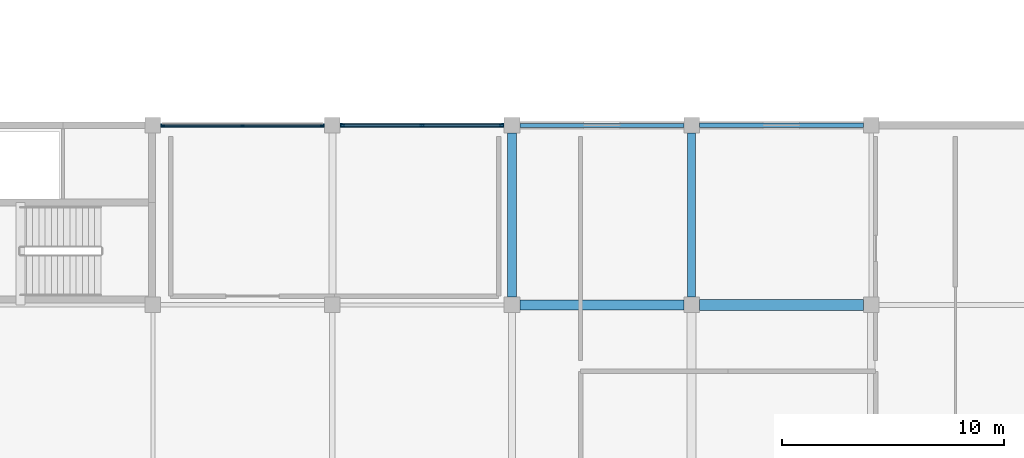
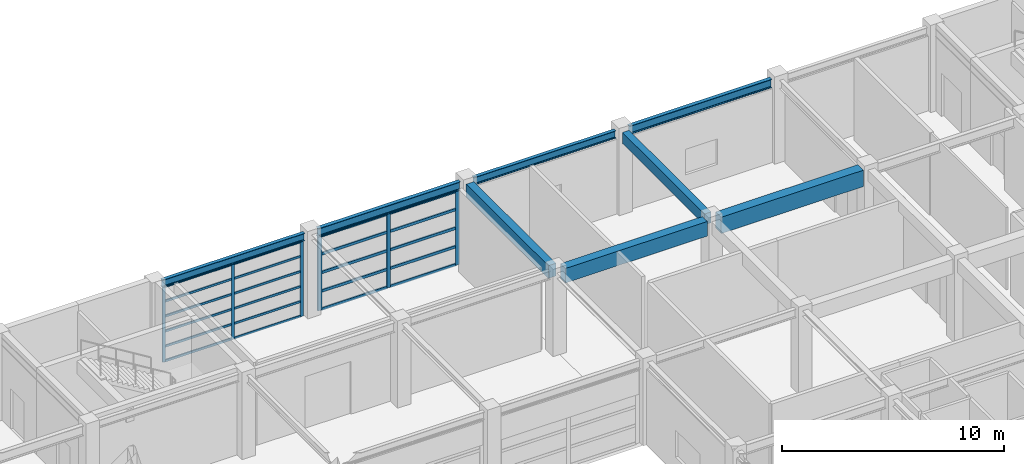
# One storey, part 28 of 56: 28 members, 8 beams, 2 elements without a shape of their own.
"""IFC4 building model written with IfcOpenShell, lengths in metres."""

from ifc_helpers import new_model, si_unit, direction, frame, origin, origin_2d, place, context, subcontext, project, spatial, rectangle, i_section, extrude, material, material_profile, profile_set, type_object, element, aggregate, save


model = new_model("IFC4")

# Units and contexts
model_context = context("Model", 3, precision=1e-05, world=origin(), true_north=direction((0.0, 1.0)))
body_context = subcontext(model_context, "Body", "Model", "MODEL_VIEW")
ifc_project = project(units=[si_unit("LENGTHUNIT", "METRE"), si_unit("AREAUNIT", "SQUARE_METRE"), si_unit("VOLUMEUNIT", "CUBIC_METRE"), si_unit("PLANEANGLEUNIT", "RADIAN"), si_unit("MASSUNIT", "GRAM", prefix="KILO")], contexts=[model_context])

# Site, building, storey
site_placement = place(None, origin())
site = spatial("IfcSite", under=ifc_project, at=site_placement, CompositionType="ELEMENT")
building_placement = place(site_placement, origin())
building = spatial("IfcBuilding", under=site, at=building_placement, Name="Parian Resonance Hall", CompositionType="ELEMENT")
storey_placement = place(building_placement, frame((0.0, 0.0, 5.39990234375)))
storey = spatial("IfcBuildingStorey", under=building, at=storey_placement, Name="L01", CompositionType="ELEMENT", Elevation=5.39990234375)

# Beams
ifc_material_1 = material(Name="Concrete C40/50", Category="concrete")
ifc_material_profile_1 = material_profile(ifc_material_1, rectangle(XDim=0.35009765625, YDim=0.60009765625, at=origin_2d()), Name="RC-BM-350x600")
ifc_profile_set_1 = profile_set([ifc_material_profile_1], Name="Concrete C40/50")
beam_type_1 = type_object("IfcBeamType", Name="BM-RC350x600", PredefinedType="BEAM", material=ifc_profile_set_1)
beam_1_placement = place(storey_placement, frame((121.5, 81.35009765625, 4.22998046875), z_axis=(0.0, 1.0, 0.0), x_axis=(-1.0, 0.0, 0.0)))
element("IfcBeam", 1, at=beam_1_placement, inside=storey, type_object=beam_type_1, Name="GY-L01-0642", PredefinedType="BEAM", context=body_context, shape_type="SweptSolid", body=[
    extrude(rectangle(XDim=0.35009765625, YDim=0.60009765625, at=origin_2d()), origin(), (0.0, 0.0, 1.0), 7.39990234375),
])
ifc_material_2 = material(Name="Concrete C40/50", Category="concrete")
ifc_material_profile_2 = material_profile(ifc_material_2, rectangle(XDim=0.39990234375, YDim=0.699951171875, at=origin_2d()), Name="RC-BM-400x700")
ifc_profile_set_2 = profile_set([ifc_material_profile_2], Name="Concrete C40/50")
beam_type_2 = type_object("IfcBeamType", Name="BM-RC400x700", PredefinedType="BEAM", material=ifc_profile_set_2)
beam_2_placement = place(storey_placement, frame((113.39990234375, 81.35009765625, 4.18017578125), z_axis=(0.0, 1.0, 0.0), x_axis=(-1.0, 0.0, 0.0)))
element("IfcBeam", 2, at=beam_2_placement, inside=storey, type_object=beam_type_2, Name="GY-L01-0633", PredefinedType="BEAM", context=body_context, shape_type="SweptSolid", body=[
    extrude(rectangle(XDim=0.39990234375, YDim=0.699951171875, at=origin_2d()), origin(), (0.0, 0.0, 1.0), 7.39990234375),
])
ifc_material_3 = material(Name="Concrete C40/50", Category="concrete")
ifc_material_profile_3 = material_profile(ifc_material_3, rectangle(XDim=0.449951171875, YDim=0.800048828125, at=origin_2d()), Name="RC-BM-450x800")
ifc_profile_set_3 = profile_set([ifc_material_profile_3], Name="Concrete C40/50")
beam_type_3 = type_object("IfcBeamType", Name="BM-RC450x800", PredefinedType="USERDEFINED", material=ifc_profile_set_3)
beam_3_placement = place(storey_placement, frame((113.75, 81.0, 4.130126953125), z_axis=(1.0, 0.0, 0.0), x_axis=(0.0, 1.0, 0.0)))
element("IfcBeam", 3, at=beam_3_placement, inside=storey, type_object=beam_type_3, Name="GX-L01-0573", ObjectType="GIRDER", PredefinedType="USERDEFINED", context=body_context, shape_type="SweptSolid", body=[
    extrude(rectangle(XDim=0.449951171875, YDim=0.800048828125, at=origin_2d()), origin(), (0.0, 0.0, 1.0), 7.39990234375),
])
ifc_material_4 = material(Name="Concrete C40/50", Category="concrete")
ifc_material_profile_4 = material_profile(ifc_material_4, rectangle(XDim=0.5, YDim=0.89990234375, at=origin_2d()), Name="RC-BM-500x900")
ifc_profile_set_4 = profile_set([ifc_material_profile_4], Name="Concrete C40/50")
beam_type_4 = type_object("IfcBeamType", Name="BM-RC500x900", PredefinedType="USERDEFINED", material=ifc_profile_set_4)
beam_4_placement = place(storey_placement, frame((121.85009765625, 81.0, 4.080078125), z_axis=(1.0, 0.0, 0.0), x_axis=(0.0, 1.0, 0.0)))
element("IfcBeam", 4, at=beam_4_placement, inside=storey, type_object=beam_type_4, Name="GX-L01-0579", ObjectType="GIRDER", PredefinedType="USERDEFINED", context=body_context, shape_type="SweptSolid", body=[
    extrude(rectangle(XDim=0.5, YDim=0.89990234375, at=origin_2d()), origin(), (0.0, 0.0, 1.0), 7.39990234375),
])
ifc_material_5 = material(Name="Steel S355", Category="steel")
ifc_material_profile_5 = material_profile(ifc_material_5, i_section(OverallWidth=0.180908203125, OverallDepth=0.4169921875, WebThickness=0.010986328125, FlangeThickness=0.018310546875, FilletRadius=0.01513671875, at=origin_2d()), Name="W410x85")
ifc_profile_set_5 = profile_set([ifc_material_profile_5], Name="Steel S355")
beam_type_5 = type_object("IfcBeamType", Name="BM-W410x85", PredefinedType="SPANDREL", material=ifc_profile_set_5)
for number, where, z_axis, x_axis, name in (
    (5, (97.550048828125, 89.10009765625, 4.3515625), (1.0, 0.0, 0.0), (0.0, 1.0, 0.0), "GX-L01-0557"),
    (6, (113.75, 89.10009765625, 4.321533203125), (1.0, 0.0, 0.0), (0.0, 1.0, 0.0), "GX-L01-0574"),
):
    element("IfcBeam", number, at=place(storey_placement, frame(where, z_axis=z_axis, x_axis=x_axis)), inside=storey, type_object=beam_type_5, Name=name, PredefinedType="SPANDREL", context=body_context, shape_type="SweptSolid", body=[
        extrude(i_section(OverallWidth=0.180908203125, OverallDepth=0.4169921875, WebThickness=0.010986328125, FlangeThickness=0.018310546875, FilletRadius=0.01513671875, at=origin_2d()), origin(), (0.0, 0.0, 1.0), 7.39990234375),
    ])
ifc_material_6 = material(Name="Steel S355", Category="steel")
ifc_material_profile_6 = material_profile(ifc_material_6, i_section(OverallWidth=0.194091796875, OverallDepth=0.468994140625, WebThickness=0.0126953125, FlangeThickness=0.0205078125, FilletRadius=0.01513671875, at=origin_2d()), Name="W460x106")
ifc_profile_set_6 = profile_set([ifc_material_profile_6], Name="Steel S355")
beam_type_6 = type_object("IfcBeamType", Name="BM-W460x106", PredefinedType="SPANDREL", material=ifc_profile_set_6)
beam_5_placement = place(storey_placement, frame((105.64990234375, 89.10009765625, 4.32568359375), z_axis=(1.0, 0.0, 0.0), x_axis=(0.0, 1.0, 0.0)))
element("IfcBeam", 7, at=beam_5_placement, inside=storey, type_object=beam_type_6, Name="GX-L01-0564", PredefinedType="SPANDREL", context=body_context, shape_type="SweptSolid", body=[
    extrude(i_section(OverallWidth=0.194091796875, OverallDepth=0.468994140625, WebThickness=0.0126953125, FlangeThickness=0.0205078125, FilletRadius=0.01513671875, at=origin_2d()), origin(), (0.0, 0.0, 1.0), 7.400146484375),
])
beam_6_placement = place(storey_placement, frame((121.85009765625, 89.10009765625, 4.295654296875), z_axis=(1.0, 0.0, 0.0), x_axis=(0.0, 1.0, 0.0)))
element("IfcBeam", 8, at=beam_6_placement, inside=storey, type_object=beam_type_6, Name="GX-L01-0580", PredefinedType="SPANDREL", context=body_context, shape_type="SweptSolid", body=[
    extrude(i_section(OverallWidth=0.194091796875, OverallDepth=0.468994140625, WebThickness=0.0126953125, FlangeThickness=0.0205078125, FilletRadius=0.01513671875, at=origin_2d()), origin(), (0.0, 0.0, 1.0), 7.39990234375),
])

# Curtain wall, members
ifc_material_7 = material(Name="Bronze-anodised aluminium frame", Category="aluminium")
curtain_wall_type_1 = type_object("IfcCurtainWallType", Name="CW-SYS-02", PredefinedType="NOTDEFINED", material=ifc_material_7)
curtain_wall_1_placement = place(storey_placement, origin())
curtain_wall_1 = element("IfcCurtainWall", 9, at=curtain_wall_1_placement, inside=storey, type_object=curtain_wall_type_1, Name="Curtain wall CW-L01-101", PredefinedType="NOTDEFINED")
ifc_material_8 = material(Name="Bronze-anodised aluminium frame", Category="aluminium")
ifc_material_profile_7 = material_profile(ifc_material_8, rectangle(XDim=0.06494140625, YDim=0.159912109375, at=origin_2d()), Name="CWM-65x160")
ifc_profile_set_7 = profile_set([ifc_material_profile_7], Name="Bronze-anodised aluminium frame")
member_type_1 = type_object("IfcMemberType", Name="CWM-65x160", PredefinedType="MULLION", material=ifc_profile_set_7)
member_1_placement = place(storey_placement, frame((97.66259765625, 89.10009765625, -0.0078125), z_axis=(0.0, 0.0, 1.0), x_axis=(0.0, 1.0, 0.0)))
member_1 = element("IfcMember", 10, at=member_1_placement, type_object=member_type_1, Name="CW-02 mullion 1", PredefinedType="MULLION", context=body_context, shape_type="SweptSolid", body=[
    extrude(rectangle(XDim=0.06494140625, YDim=0.159912109375, at=origin_2d()), origin(), (0.0, 0.0, 1.0), 4.155029296875),
])
member_2_placement = place(storey_placement, frame((101.25, 89.10009765625, -0.0078125), z_axis=(0.0, 0.0, 1.0), x_axis=(0.0, 1.0, 0.0)))
member_2 = element("IfcMember", 11, at=member_2_placement, type_object=member_type_1, Name="CW-02 mullion 2", PredefinedType="MULLION", context=body_context, shape_type="SweptSolid", body=[
    extrude(rectangle(XDim=0.06494140625, YDim=0.159912109375, at=origin_2d()), origin(), (0.0, 0.0, 1.0), 4.155029296875),
])
member_3_placement = place(storey_placement, frame((104.83740234375, 89.10009765625, -0.0078125), z_axis=(0.0, 0.0, 1.0), x_axis=(0.0, 1.0, 0.0)))
member_3 = element("IfcMember", 12, at=member_3_placement, type_object=member_type_1, Name="CW-02 mullion 3", PredefinedType="MULLION", context=body_context, shape_type="SweptSolid", body=[
    extrude(rectangle(XDim=0.06494140625, YDim=0.159912109375, at=origin_2d()), origin(), (0.0, 0.0, 1.0), 4.155029296875),
])

ifc_material_9 = material(Name="Bronze-anodised aluminium frame", Category="aluminium")
curtain_wall_type_2 = type_object("IfcCurtainWallType", Name="CW-SYS-03", PredefinedType="NOTDEFINED", material=ifc_material_9)
curtain_wall_2_placement = place(storey_placement, origin())
curtain_wall_2 = element("IfcCurtainWall", 13, at=curtain_wall_2_placement, inside=storey, type_object=curtain_wall_type_2, Name="Curtain wall CW-L01-104", PredefinedType="NOTDEFINED")
ifc_material_10 = material(Name="Bronze-anodised aluminium frame", Category="aluminium")
ifc_material_profile_8 = material_profile(ifc_material_10, rectangle(XDim=0.074951171875, YDim=0.199951171875, at=origin_2d()), Name="CWM-75x200")
ifc_profile_set_8 = profile_set([ifc_material_profile_8], Name="Bronze-anodised aluminium frame")
member_type_2 = type_object("IfcMemberType", Name="CWM-75x200", PredefinedType="MULLION", material=ifc_profile_set_8)
member_4_placement = place(storey_placement, frame((105.767578125, 89.10009765625, -0.0078125), z_axis=(0.0, 0.0, 1.0), x_axis=(0.0, 1.0, 0.0)))
member_4 = element("IfcMember", 14, at=member_4_placement, type_object=member_type_2, Name="CW-03 mullion 1", PredefinedType="MULLION", context=body_context, shape_type="SweptSolid", body=[
    extrude(rectangle(XDim=0.074951171875, YDim=0.199951171875, at=origin_2d()), origin(), (0.0, 0.0, 1.0), 4.10302734375),
])
member_5_placement = place(storey_placement, frame((109.35009765625, 89.10009765625, -0.0078125), z_axis=(0.0, 0.0, 1.0), x_axis=(0.0, 1.0, 0.0)))
member_5 = element("IfcMember", 15, at=member_5_placement, type_object=member_type_2, Name="CW-03 mullion 2", PredefinedType="MULLION", context=body_context, shape_type="SweptSolid", body=[
    extrude(rectangle(XDim=0.074951171875, YDim=0.199951171875, at=origin_2d()), origin(), (0.0, 0.0, 1.0), 4.10302734375),
])
member_6_placement = place(storey_placement, frame((112.9326171875, 89.10009765625, -0.0078125), z_axis=(0.0, 0.0, 1.0), x_axis=(0.0, 1.0, 0.0)))
member_6 = element("IfcMember", 16, at=member_6_placement, type_object=member_type_2, Name="CW-03 mullion 3", PredefinedType="MULLION", context=body_context, shape_type="SweptSolid", body=[
    extrude(rectangle(XDim=0.074951171875, YDim=0.199951171875, at=origin_2d()), origin(), (0.0, 0.0, 1.0), 4.10302734375),
])

# Member
ifc_material_11 = material(Name="Bronze-anodised aluminium frame", Category="aluminium")
ifc_material_profile_9 = material_profile(ifc_material_11, rectangle(XDim=0.06494140625, YDim=0.1201171875, at=origin_2d()), Name="CWT-65x120")
ifc_profile_set_9 = profile_set([ifc_material_profile_9], Name="Bronze-anodised aluminium frame")
member_type_3 = type_object("IfcMemberType", Name="CWT-65x120", PredefinedType="USERDEFINED", material=ifc_profile_set_9)
member_7_placement = place(storey_placement, frame((97.695068359375, 89.10009765625, 0.024658203125), z_axis=(1.0, 0.0, 0.0), x_axis=(0.0, 1.0, 0.0)))
member_7 = element("IfcMember", 17, at=member_7_placement, type_object=member_type_3, Name="CW-02 transom 1.1", ObjectType="TRANSOM", PredefinedType="USERDEFINED", context=body_context, shape_type="SweptSolid", body=[
    extrude(rectangle(XDim=0.06494140625, YDim=0.1201171875, at=origin_2d()), origin(), (0.0, 0.0, 1.0), 3.5224609375),
])

member_8_placement = place(storey_placement, frame((97.695068359375, 89.10009765625, 0.827392578125), z_axis=(1.0, 0.0, 0.0), x_axis=(0.0, 1.0, 0.0)))
member_8 = element("IfcMember", 18, at=member_8_placement, type_object=member_type_3, Name="CW-02 transom 1.2", ObjectType="TRANSOM", PredefinedType="USERDEFINED", context=body_context, shape_type="SweptSolid", body=[
    extrude(rectangle(XDim=0.06494140625, YDim=0.1201171875, at=origin_2d()), origin(), (0.0, 0.0, 1.0), 3.5224609375),
])

member_9_placement = place(storey_placement, frame((97.695068359375, 89.10009765625, 1.65478515625), z_axis=(1.0, 0.0, 0.0), x_axis=(0.0, 1.0, 0.0)))
member_9 = element("IfcMember", 19, at=member_9_placement, type_object=member_type_3, Name="CW-02 transom 1.3", ObjectType="TRANSOM", PredefinedType="USERDEFINED", context=body_context, shape_type="SweptSolid", body=[
    extrude(rectangle(XDim=0.06494140625, YDim=0.1201171875, at=origin_2d()), origin(), (0.0, 0.0, 1.0), 3.5224609375),
])

member_10_placement = place(storey_placement, frame((97.695068359375, 89.10009765625, 2.482177734375), z_axis=(1.0, 0.0, 0.0), x_axis=(0.0, 1.0, 0.0)))
member_10 = element("IfcMember", 20, at=member_10_placement, type_object=member_type_3, Name="CW-02 transom 1.4", ObjectType="TRANSOM", PredefinedType="USERDEFINED", context=body_context, shape_type="SweptSolid", body=[
    extrude(rectangle(XDim=0.06494140625, YDim=0.1201171875, at=origin_2d()), origin(), (0.0, 0.0, 1.0), 3.5224609375),
])

member_11_placement = place(storey_placement, frame((97.695068359375, 89.10009765625, 3.309814453125), z_axis=(1.0, 0.0, 0.0), x_axis=(0.0, 1.0, 0.0)))
member_11 = element("IfcMember", 21, at=member_11_placement, type_object=member_type_3, Name="CW-02 transom 1.5", ObjectType="TRANSOM", PredefinedType="USERDEFINED", context=body_context, shape_type="SweptSolid", body=[
    extrude(rectangle(XDim=0.06494140625, YDim=0.1201171875, at=origin_2d()), origin(), (0.0, 0.0, 1.0), 3.5224609375),
])

member_12_placement = place(storey_placement, frame((97.695068359375, 89.10009765625, 4.114501953125), z_axis=(1.0, 0.0, 0.0), x_axis=(0.0, 1.0, 0.0)))
member_12 = element("IfcMember", 22, at=member_12_placement, type_object=member_type_3, Name="CW-02 transom 1.6", ObjectType="TRANSOM", PredefinedType="USERDEFINED", context=body_context, shape_type="SweptSolid", body=[
    extrude(rectangle(XDim=0.06494140625, YDim=0.1201171875, at=origin_2d()), origin(), (0.0, 0.0, 1.0), 3.5224609375),
])

member_13_placement = place(storey_placement, frame((101.282470703125, 89.10009765625, 0.024658203125), z_axis=(1.0, 0.0, 0.0), x_axis=(0.0, 1.0, 0.0)))
member_13 = element("IfcMember", 23, at=member_13_placement, type_object=member_type_3, Name="CW-02 transom 2.1", ObjectType="TRANSOM", PredefinedType="USERDEFINED", context=body_context, shape_type="SweptSolid", body=[
    extrude(rectangle(XDim=0.06494140625, YDim=0.1201171875, at=origin_2d()), origin(), (0.0, 0.0, 1.0), 3.5224609375),
])

member_14_placement = place(storey_placement, frame((101.282470703125, 89.10009765625, 0.827392578125), z_axis=(1.0, 0.0, 0.0), x_axis=(0.0, 1.0, 0.0)))
member_14 = element("IfcMember", 24, at=member_14_placement, type_object=member_type_3, Name="CW-02 transom 2.2", ObjectType="TRANSOM", PredefinedType="USERDEFINED", context=body_context, shape_type="SweptSolid", body=[
    extrude(rectangle(XDim=0.06494140625, YDim=0.1201171875, at=origin_2d()), origin(), (0.0, 0.0, 1.0), 3.5224609375),
])

member_15_placement = place(storey_placement, frame((101.282470703125, 89.10009765625, 1.65478515625), z_axis=(1.0, 0.0, 0.0), x_axis=(0.0, 1.0, 0.0)))
member_15 = element("IfcMember", 25, at=member_15_placement, type_object=member_type_3, Name="CW-02 transom 2.3", ObjectType="TRANSOM", PredefinedType="USERDEFINED", context=body_context, shape_type="SweptSolid", body=[
    extrude(rectangle(XDim=0.06494140625, YDim=0.1201171875, at=origin_2d()), origin(), (0.0, 0.0, 1.0), 3.5224609375),
])

member_16_placement = place(storey_placement, frame((101.282470703125, 89.10009765625, 2.482177734375), z_axis=(1.0, 0.0, 0.0), x_axis=(0.0, 1.0, 0.0)))
member_16 = element("IfcMember", 26, at=member_16_placement, type_object=member_type_3, Name="CW-02 transom 2.4", ObjectType="TRANSOM", PredefinedType="USERDEFINED", context=body_context, shape_type="SweptSolid", body=[
    extrude(rectangle(XDim=0.06494140625, YDim=0.1201171875, at=origin_2d()), origin(), (0.0, 0.0, 1.0), 3.5224609375),
])

member_17_placement = place(storey_placement, frame((101.282470703125, 89.10009765625, 3.309814453125), z_axis=(1.0, 0.0, 0.0), x_axis=(0.0, 1.0, 0.0)))
member_17 = element("IfcMember", 27, at=member_17_placement, type_object=member_type_3, Name="CW-02 transom 2.5", ObjectType="TRANSOM", PredefinedType="USERDEFINED", context=body_context, shape_type="SweptSolid", body=[
    extrude(rectangle(XDim=0.06494140625, YDim=0.1201171875, at=origin_2d()), origin(), (0.0, 0.0, 1.0), 3.5224609375),
])

member_18_placement = place(storey_placement, frame((101.282470703125, 89.10009765625, 4.114501953125), z_axis=(1.0, 0.0, 0.0), x_axis=(0.0, 1.0, 0.0)))
member_18 = element("IfcMember", 28, at=member_18_placement, type_object=member_type_3, Name="CW-02 transom 2.6", ObjectType="TRANSOM", PredefinedType="USERDEFINED", context=body_context, shape_type="SweptSolid", body=[
    extrude(rectangle(XDim=0.06494140625, YDim=0.1201171875, at=origin_2d()), origin(), (0.0, 0.0, 1.0), 3.5224609375),
])

aggregate(curtain_wall_1, [member_1, member_2, member_3, member_7, member_8, member_9, member_10, member_11, member_12, member_13, member_14, member_15, member_16, member_17, member_18])

ifc_material_12 = material(Name="Bronze-anodised aluminium frame", Category="aluminium")
ifc_material_profile_10 = material_profile(ifc_material_12, rectangle(XDim=0.074951171875, YDim=0.14990234375, at=origin_2d()), Name="CWT-75x150")
ifc_profile_set_10 = profile_set([ifc_material_profile_10], Name="Bronze-anodised aluminium frame")
member_type_4 = type_object("IfcMemberType", Name="CWT-75x150", PredefinedType="USERDEFINED", material=ifc_profile_set_10)
member_19_placement = place(storey_placement, frame((105.804931640625, 89.10009765625, 0.029541015625), z_axis=(1.0, 0.0, 0.0), x_axis=(0.0, 1.0, 0.0)))
member_19 = element("IfcMember", 29, at=member_19_placement, type_object=member_type_4, Name="CW-03 transom 1.1", ObjectType="TRANSOM", PredefinedType="USERDEFINED", context=body_context, shape_type="SweptSolid", body=[
    extrude(rectangle(XDim=0.074951171875, YDim=0.14990234375, at=origin_2d()), origin(), (0.0, 0.0, 1.0), 3.507568359375),
])

member_20_placement = place(storey_placement, frame((105.804931640625, 89.10009765625, 1.021484375), z_axis=(1.0, 0.0, 0.0), x_axis=(0.0, 1.0, 0.0)))
member_20 = element("IfcMember", 30, at=member_20_placement, type_object=member_type_4, Name="CW-03 transom 1.2", ObjectType="TRANSOM", PredefinedType="USERDEFINED", context=body_context, shape_type="SweptSolid", body=[
    extrude(rectangle(XDim=0.074951171875, YDim=0.14990234375, at=origin_2d()), origin(), (0.0, 0.0, 1.0), 3.507568359375),
])

member_21_placement = place(storey_placement, frame((105.804931640625, 89.10009765625, 2.04248046875), z_axis=(1.0, 0.0, 0.0), x_axis=(0.0, 1.0, 0.0)))
member_21 = element("IfcMember", 31, at=member_21_placement, type_object=member_type_4, Name="CW-03 transom 1.3", ObjectType="TRANSOM", PredefinedType="USERDEFINED", context=body_context, shape_type="SweptSolid", body=[
    extrude(rectangle(XDim=0.074951171875, YDim=0.14990234375, at=origin_2d()), origin(), (0.0, 0.0, 1.0), 3.507568359375),
])

member_22_placement = place(storey_placement, frame((105.804931640625, 89.10009765625, 3.063720703125), z_axis=(1.0, 0.0, 0.0), x_axis=(0.0, 1.0, 0.0)))
member_22 = element("IfcMember", 32, at=member_22_placement, type_object=member_type_4, Name="CW-03 transom 1.4", ObjectType="TRANSOM", PredefinedType="USERDEFINED", context=body_context, shape_type="SweptSolid", body=[
    extrude(rectangle(XDim=0.074951171875, YDim=0.14990234375, at=origin_2d()), origin(), (0.0, 0.0, 1.0), 3.507568359375),
])

member_23_placement = place(storey_placement, frame((105.804931640625, 89.10009765625, 4.0576171875), z_axis=(1.0, 0.0, 0.0), x_axis=(0.0, 1.0, 0.0)))
member_23 = element("IfcMember", 33, at=member_23_placement, type_object=member_type_4, Name="CW-03 transom 1.5", ObjectType="TRANSOM", PredefinedType="USERDEFINED", context=body_context, shape_type="SweptSolid", body=[
    extrude(rectangle(XDim=0.074951171875, YDim=0.14990234375, at=origin_2d()), origin(), (0.0, 0.0, 1.0), 3.507568359375),
])

member_24_placement = place(storey_placement, frame((109.387451171875, 89.10009765625, 0.029541015625), z_axis=(1.0, 0.0, 0.0), x_axis=(0.0, 1.0, 0.0)))
member_24 = element("IfcMember", 34, at=member_24_placement, type_object=member_type_4, Name="CW-03 transom 2.1", ObjectType="TRANSOM", PredefinedType="USERDEFINED", context=body_context, shape_type="SweptSolid", body=[
    extrude(rectangle(XDim=0.074951171875, YDim=0.14990234375, at=origin_2d()), origin(), (0.0, 0.0, 1.0), 3.507568359375),
])

member_25_placement = place(storey_placement, frame((109.387451171875, 89.10009765625, 1.021484375), z_axis=(1.0, 0.0, 0.0), x_axis=(0.0, 1.0, 0.0)))
member_25 = element("IfcMember", 35, at=member_25_placement, type_object=member_type_4, Name="CW-03 transom 2.2", ObjectType="TRANSOM", PredefinedType="USERDEFINED", context=body_context, shape_type="SweptSolid", body=[
    extrude(rectangle(XDim=0.074951171875, YDim=0.14990234375, at=origin_2d()), origin(), (0.0, 0.0, 1.0), 3.507568359375),
])

member_26_placement = place(storey_placement, frame((109.387451171875, 89.10009765625, 2.04248046875), z_axis=(1.0, 0.0, 0.0), x_axis=(0.0, 1.0, 0.0)))
member_26 = element("IfcMember", 36, at=member_26_placement, type_object=member_type_4, Name="CW-03 transom 2.3", ObjectType="TRANSOM", PredefinedType="USERDEFINED", context=body_context, shape_type="SweptSolid", body=[
    extrude(rectangle(XDim=0.074951171875, YDim=0.14990234375, at=origin_2d()), origin(), (0.0, 0.0, 1.0), 3.507568359375),
])

member_27_placement = place(storey_placement, frame((109.387451171875, 89.10009765625, 3.063720703125), z_axis=(1.0, 0.0, 0.0), x_axis=(0.0, 1.0, 0.0)))
member_27 = element("IfcMember", 37, at=member_27_placement, type_object=member_type_4, Name="CW-03 transom 2.4", ObjectType="TRANSOM", PredefinedType="USERDEFINED", context=body_context, shape_type="SweptSolid", body=[
    extrude(rectangle(XDim=0.074951171875, YDim=0.14990234375, at=origin_2d()), origin(), (0.0, 0.0, 1.0), 3.507568359375),
])

member_28_placement = place(storey_placement, frame((109.387451171875, 89.10009765625, 4.0576171875), z_axis=(1.0, 0.0, 0.0), x_axis=(0.0, 1.0, 0.0)))
member_28 = element("IfcMember", 38, at=member_28_placement, type_object=member_type_4, Name="CW-03 transom 2.5", ObjectType="TRANSOM", PredefinedType="USERDEFINED", context=body_context, shape_type="SweptSolid", body=[
    extrude(rectangle(XDim=0.074951171875, YDim=0.14990234375, at=origin_2d()), origin(), (0.0, 0.0, 1.0), 3.507568359375),
])

aggregate(curtain_wall_2, [member_4, member_5, member_6, member_19, member_20, member_21, member_22, member_23, member_24, member_25, member_26, member_27, member_28])

save(model, "model.ifc")
